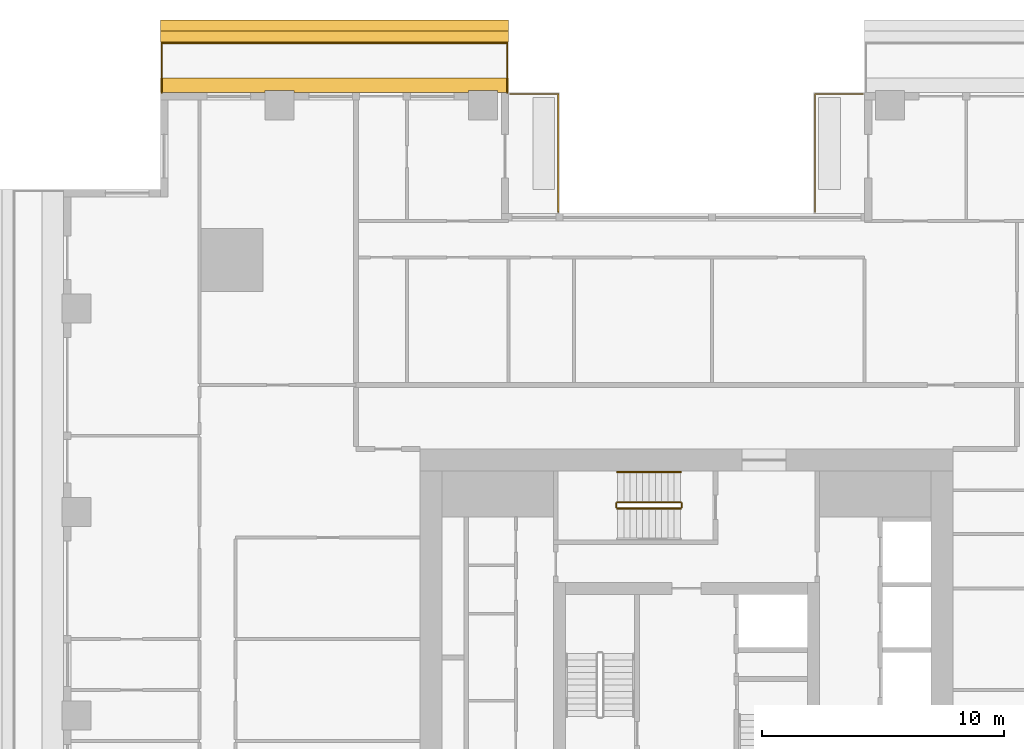
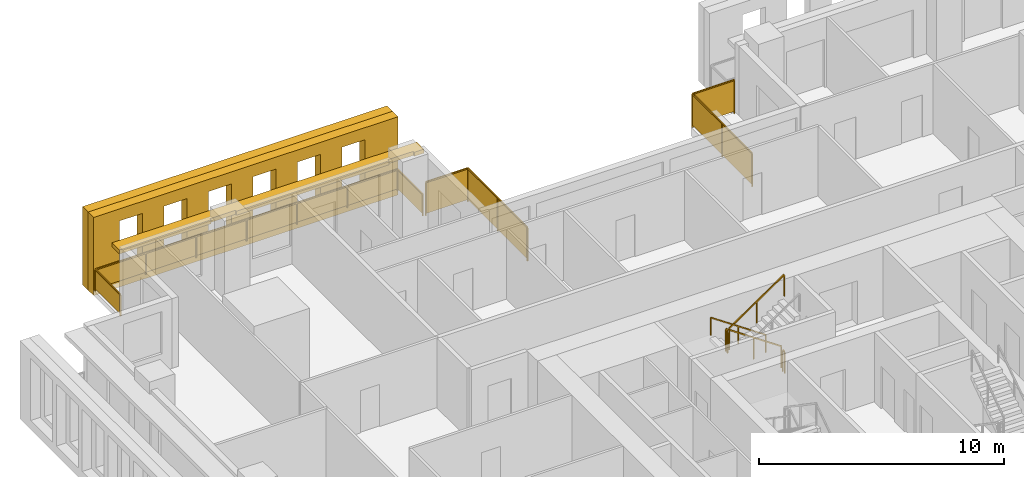
# One storey, part 15 of 16: 8 railings, 3 shading devices.
"""IFC4 building model written with IfcOpenShell, lengths in metres."""

from ifc_helpers import new_model, si_unit, direction, frame, origin, origin_2d, place, context, subcontext, project, spatial, polyline, rectangle, outline, extrude, material, layer, layer_set, type_object, element, save


model = new_model("IFC4")

# Units and contexts
model_context = context("Model", 3, precision=1e-05, world=origin(), true_north=direction((0.0, 1.0)))
body_context = subcontext(model_context, "Body", "Model", "MODEL_VIEW")
ifc_project = project(units=[si_unit("LENGTHUNIT", "METRE"), si_unit("AREAUNIT", "SQUARE_METRE"), si_unit("VOLUMEUNIT", "CUBIC_METRE"), si_unit("PLANEANGLEUNIT", "RADIAN"), si_unit("MASSUNIT", "GRAM", prefix="KILO")], contexts=[model_context])

# Site, building, storey
site_placement = place(None, origin())
site = spatial("IfcSite", under=ifc_project, at=site_placement, CompositionType="ELEMENT")
building_placement = place(site_placement, origin())
building = spatial("IfcBuilding", under=site, at=building_placement, Name="Khepri Terraces", CompositionType="ELEMENT")
storey_placement = place(building_placement, frame((0.0, 0.0, 149.39990234375)))
storey = spatial("IfcBuildingStorey", under=building, at=storey_placement, Name="L35", CompositionType="ELEMENT", Elevation=149.39990234375)

# Railings
ifc_material_1 = material(Name="Stainless steel grade 316", Category="steel")
railing_type_1 = type_object("IfcRailingType", Name="GRD-BAL-1100", PredefinedType="GUARDRAIL", material=ifc_material_1)
railing_1_placement = place(storey_placement, frame((-7.39990234375, 25.719970703125, 0.0)))
element("IfcRailing", 1, at=railing_1_placement, inside=storey, type_object=railing_type_1, Name="Balcony guard L35 N", PredefinedType="GUARDRAIL", context=body_context, shape_type="SweptSolid", body=[
    extrude(rectangle(XDim=0.050048828125, YDim=0.06005859375, at=origin_2d()), frame((0.0, 0.0, 1.070068359375), z_axis=(0.0, 1.0, 0.0), x_axis=(-1.0, 0.0, 0.0)), (0.0, 0.0, 1.0), 2.050048828125),
    extrude(rectangle(XDim=2.0, YDim=0.011962890625, at=origin_2d()), frame((0.0, 1.02490234375, 0.10009765625), z_axis=(0.0, 0.0, 1.0), x_axis=(0.0, 1.0, 0.0)), (0.0, 0.0, 1.0), 0.93994140625),
    extrude(rectangle(XDim=0.050048828125, YDim=0.06005859375, at=origin_2d()), frame((0.0, 2.050048828125, 1.070068359375), z_axis=(-1.0, 0.0, 0.0), x_axis=(0.0, -1.0, 0.0)), (0.0, 0.0, 1.0), 14.27001953125),
    extrude(rectangle(XDim=2.328369140625, YDim=0.011962890625, at=origin_2d()), frame((-1.189208984375, 2.050048828125, 0.10009765625), z_axis=(0.0, 0.0, 1.0), x_axis=(-1.0, 0.0, 0.0)), (0.0, 0.0, 1.0), 0.93994140625),
    extrude(rectangle(XDim=2.328369140625, YDim=0.011962890625, at=origin_2d()), frame((-3.5673828125, 2.050048828125, 0.10009765625), z_axis=(0.0, 0.0, 1.0), x_axis=(-1.0, 0.0, 0.0)), (0.0, 0.0, 1.0), 0.93994140625),
    extrude(rectangle(XDim=2.328369140625, YDim=0.011962890625, at=origin_2d()), frame((-5.94580078125, 2.050048828125, 0.10009765625), z_axis=(0.0, 0.0, 1.0), x_axis=(-1.0, 0.0, 0.0)), (0.0, 0.0, 1.0), 0.93994140625),
    extrude(rectangle(XDim=2.328369140625, YDim=0.011962890625, at=origin_2d()), frame((-8.32421875, 2.050048828125, 0.10009765625), z_axis=(0.0, 0.0, 1.0), x_axis=(-1.0, 0.0, 0.0)), (0.0, 0.0, 1.0), 0.93994140625),
    extrude(rectangle(XDim=2.328369140625, YDim=0.011962890625, at=origin_2d()), frame((-10.70263671875, 2.050048828125, 0.10009765625), z_axis=(0.0, 0.0, 1.0), x_axis=(-1.0, 0.0, 0.0)), (0.0, 0.0, 1.0), 0.93994140625),
    extrude(rectangle(XDim=2.328369140625, YDim=0.011962890625, at=origin_2d()), frame((-13.080810546875, 2.050048828125, 0.10009765625), z_axis=(0.0, 0.0, 1.0), x_axis=(-1.0, 0.0, 0.0)), (0.0, 0.0, 1.0), 0.93994140625),
    extrude(rectangle(XDim=0.050048828125, YDim=0.06005859375, at=origin_2d()), frame((-14.27001953125, 2.050048828125, 1.070068359375), z_axis=(0.0, -1.0, 0.0), x_axis=(1.0, 0.0, 0.0)), (0.0, 0.0, 1.0), 2.050048828125),
    extrude(rectangle(XDim=2.0, YDim=0.011962890625, at=origin_2d()), frame((-14.27001953125, 1.02490234375, 0.10009765625), z_axis=(0.0, 0.0, 1.0), x_axis=(0.0, -1.0, 0.0)), (0.0, 0.0, 1.0), 0.93994140625),
    extrude(rectangle(XDim=0.050048828125, YDim=0.050048828125, at=origin_2d()), origin(), (0.0, 0.0, 1.0), 1.0400390625),
    extrude(rectangle(XDim=0.050048828125, YDim=0.050048828125, at=origin_2d()), frame((0.0, 2.050048828125, 0.0)), (0.0, 0.0, 1.0), 1.0400390625),
    extrude(rectangle(XDim=0.050048828125, YDim=0.050048828125, at=origin_2d()), frame((-2.37841796875, 2.050048828125, 0.0)), (0.0, 0.0, 1.0), 1.0400390625),
    extrude(rectangle(XDim=0.050048828125, YDim=0.050048828125, at=origin_2d()), frame((-4.756591796875, 2.050048828125, 0.0)), (0.0, 0.0, 1.0), 1.0400390625),
    extrude(rectangle(XDim=0.050048828125, YDim=0.050048828125, at=origin_2d()), frame((-7.135009765625, 2.050048828125, 0.0)), (0.0, 0.0, 1.0), 1.0400390625),
    extrude(rectangle(XDim=0.050048828125, YDim=0.050048828125, at=origin_2d()), frame((-9.513427734375, 2.050048828125, 0.0)), (0.0, 0.0, 1.0), 1.0400390625),
    extrude(rectangle(XDim=0.050048828125, YDim=0.050048828125, at=origin_2d()), frame((-11.8916015625, 2.050048828125, 0.0)), (0.0, 0.0, 1.0), 1.0400390625),
    extrude(rectangle(XDim=0.050048828125, YDim=0.050048828125, at=origin_2d()), frame((-14.27001953125, 2.050048828125, 0.0)), (0.0, 0.0, 1.0), 1.0400390625),
    extrude(rectangle(XDim=0.050048828125, YDim=0.050048828125, at=origin_2d()), frame((-14.27001953125, 0.0, 0.0)), (0.0, 0.0, 1.0), 1.0400390625),
])
railing_type_2 = type_object("IfcRailingType", Name="GRD-TERR-1700", PredefinedType="GUARDRAIL", material=ifc_material_1)
railing_2_placement = place(storey_placement, frame((5.300048828125, 20.7900390625, 0.0)))
element("IfcRailing", 2, at=railing_2_placement, inside=storey, type_object=railing_type_2, Name="Terrace guard L35", PredefinedType="GUARDRAIL", context=body_context, shape_type="SweptSolid", body=[
    extrude(rectangle(XDim=0.050048828125, YDim=0.06005859375, at=origin_2d()), frame((0.0, 0.0, 1.669921875), z_axis=(0.0, 1.0, 0.0), x_axis=(-1.0, 0.0, 0.0)), (0.0, 0.0, 1.0), 4.8798828125),
    extrude(rectangle(XDim=2.389892578125, YDim=0.011962890625, at=origin_2d()), frame((0.0, 1.219970703125, 0.10009765625), z_axis=(0.0, 0.0, 1.0), x_axis=(0.0, 1.0, 0.0)), (0.0, 0.0, 1.0), 1.539794921875),
    extrude(rectangle(XDim=2.389892578125, YDim=0.011962890625, at=origin_2d()), frame((0.0, 3.659912109375, 0.10009765625), z_axis=(0.0, 0.0, 1.0), x_axis=(0.0, 1.0, 0.0)), (0.0, 0.0, 1.0), 1.539794921875),
    extrude(rectangle(XDim=0.050048828125, YDim=0.06005859375, at=origin_2d()), frame((0.0, 4.8798828125, 1.669921875), z_axis=(1.0, 0.0, 0.0), x_axis=(0.0, 1.0, 0.0)), (0.0, 0.0, 1.0), 1.97998046875),
    extrude(rectangle(XDim=1.929931640625, YDim=0.011962890625, at=origin_2d()), frame((0.989990234375, 4.8798828125, 0.10009765625), z_axis=(0.0, 0.0, 1.0), x_axis=(1.0, 0.0, 0.0)), (0.0, 0.0, 1.0), 1.539794921875),
    extrude(rectangle(XDim=0.050048828125, YDim=0.050048828125, at=origin_2d()), origin(), (0.0, 0.0, 1.0), 1.639892578125),
    extrude(rectangle(XDim=0.050048828125, YDim=0.050048828125, at=origin_2d()), frame((0.0, 2.43994140625, 0.0)), (0.0, 0.0, 1.0), 1.639892578125),
    extrude(rectangle(XDim=0.050048828125, YDim=0.050048828125, at=origin_2d()), frame((0.0, 4.8798828125, 0.0)), (0.0, 0.0, 1.0), 1.639892578125),
    extrude(rectangle(XDim=0.050048828125, YDim=0.050048828125, at=origin_2d()), frame((1.97998046875, 4.8798828125, 0.0)), (0.0, 0.0, 1.0), 1.639892578125),
])
railing_3_placement = place(storey_placement, frame((-7.280029296875, 25.669921875, 0.0)))
element("IfcRailing", 3, at=railing_3_placement, inside=storey, type_object=railing_type_2, Name="Terrace guard L35", PredefinedType="GUARDRAIL", context=body_context, shape_type="SweptSolid", body=[
    extrude(rectangle(XDim=0.050048828125, YDim=0.06005859375, at=origin_2d()), frame((0.0, 0.0, 1.669921875), z_axis=(1.0, 0.0, 0.0), x_axis=(0.0, 1.0, 0.0)), (0.0, 0.0, 1.0), 1.97998046875),
    extrude(rectangle(XDim=1.929931640625, YDim=0.011962890625, at=origin_2d()), frame((0.989990234375, 0.0, 0.10009765625), z_axis=(0.0, 0.0, 1.0), x_axis=(1.0, 0.0, 0.0)), (0.0, 0.0, 1.0), 1.539794921875),
    extrude(rectangle(XDim=0.050048828125, YDim=0.06005859375, at=origin_2d()), frame((1.97998046875, 0.0, 1.669921875), z_axis=(0.0, -1.0, 0.0), x_axis=(1.0, 0.0, 0.0)), (0.0, 0.0, 1.0), 4.8798828125),
    extrude(rectangle(XDim=2.389892578125, YDim=0.011962890625, at=origin_2d()), frame((1.97998046875, -1.219970703125, 0.10009765625), z_axis=(0.0, 0.0, 1.0), x_axis=(0.0, -1.0, 0.0)), (0.0, 0.0, 1.0), 1.539794921875),
    extrude(rectangle(XDim=2.389892578125, YDim=0.011962890625, at=origin_2d()), frame((1.97998046875, -3.659912109375, 0.10009765625), z_axis=(0.0, 0.0, 1.0), x_axis=(0.0, -1.0, 0.0)), (0.0, 0.0, 1.0), 1.539794921875),
    extrude(rectangle(XDim=0.050048828125, YDim=0.050048828125, at=origin_2d()), origin(), (0.0, 0.0, 1.0), 1.639892578125),
    extrude(rectangle(XDim=0.050048828125, YDim=0.050048828125, at=origin_2d()), frame((1.97998046875, 0.0, 0.0)), (0.0, 0.0, 1.0), 1.639892578125),
    extrude(rectangle(XDim=0.050048828125, YDim=0.050048828125, at=origin_2d()), frame((1.97998046875, -2.43994140625, 0.0)), (0.0, 0.0, 1.0), 1.639892578125),
    extrude(rectangle(XDim=0.050048828125, YDim=0.050048828125, at=origin_2d()), frame((1.97998046875, -4.8798828125, 0.0)), (0.0, 0.0, 1.0), 1.639892578125),
])
ifc_material_2 = material(Name="Stainless steel 316", Category="steel")
railing_type_3 = type_object("IfcRailingType", Name="RL-CORE-GUARD", PredefinedType="GUARDRAIL", material=ifc_material_2)
railing_4_placement = place(storey_placement, frame((-0.25, 8.800048828125, 0.177490234375)))
element("IfcRailing", 4, at=railing_4_placement, inside=storey, type_object=railing_type_3, Name="L35 ST-3 stair guard 1", PredefinedType="GUARDRAIL", context=body_context, shape_type="SweptSolid", body=[
    extrude(rectangle(XDim=0.050048828125, YDim=0.06005859375, at=origin_2d()), frame((0.0, 0.0, 1.070068359375), z_axis=(-0.826240473404, 0.0, 0.563317565952), x_axis=(0.0, -1.0, 0.0)), (0.0, 0.0, 1.0), 3.14697265625),
    extrude(rectangle(XDim=0.050048828125, YDim=0.050048828125, at=origin_2d()), origin(), (0.0, 0.0, 1.0), 1.0400390625),
    extrude(rectangle(XDim=0.050048828125, YDim=0.050048828125, at=origin_2d()), frame((-1.300048828125, 0.0, 0.88623046875)), (0.0, 0.0, 1.0), 1.0400390625),
    extrude(rectangle(XDim=0.050048828125, YDim=0.050048828125, at=origin_2d()), frame((-2.60009765625, 0.0, 1.772705078125)), (0.0, 0.0, 1.0), 1.0400390625),
])
railing_5_placement = place(storey_placement, frame((-2.89990234375, 8.75, 1.9501953125)))
element("IfcRailing", 5, at=railing_5_placement, inside=storey, type_object=railing_type_3, Name="L35 ST-3 stair guard 2", PredefinedType="GUARDRAIL", context=body_context, shape_type="SweptSolid", body=[
    extrude(rectangle(XDim=0.050048828125, YDim=0.06005859375, at=origin_2d()), frame((0.0, 0.0, 1.070068359375), z_axis=(0.0, -1.0, 0.0), x_axis=(1.0, 0.0, 0.0)), (0.0, 0.0, 1.0), 0.14990234375),
    extrude(rectangle(XDim=0.050048828125, YDim=0.050048828125, at=origin_2d()), origin(), (0.0, 0.0, 1.0), 1.0400390625),
    extrude(rectangle(XDim=0.050048828125, YDim=0.050048828125, at=origin_2d()), frame((0.0, -0.14990234375, 0.0)), (0.0, 0.0, 1.0), 1.0400390625),
])
railing_6_placement = place(storey_placement, frame((-2.85009765625, 8.550048828125, 2.12744140625)))
element("IfcRailing", 6, at=railing_6_placement, inside=storey, type_object=railing_type_3, Name="L35 ST-3 stair guard 3", PredefinedType="GUARDRAIL", context=body_context, shape_type="SweptSolid", body=[
    extrude(rectangle(XDim=0.050048828125, YDim=0.06005859375, at=origin_2d()), frame((0.0, 0.0, 1.070068359375), z_axis=(0.826240473404, 0.0, 0.563317565952), x_axis=(0.0, 1.0, 0.0)), (0.0, 0.0, 1.0), 3.14697265625),
    extrude(rectangle(XDim=0.050048828125, YDim=0.050048828125, at=origin_2d()), origin(), (0.0, 0.0, 1.0), 1.0400390625),
    extrude(rectangle(XDim=0.050048828125, YDim=0.050048828125, at=origin_2d()), frame((1.300048828125, 0.0, 0.88623046875)), (0.0, 0.0, 1.0), 1.0400390625),
    extrude(rectangle(XDim=0.050048828125, YDim=0.050048828125, at=origin_2d()), frame((2.60009765625, 0.0, 1.772705078125)), (0.0, 0.0, 1.0), 1.0400390625),
])
railing_7_placement = place(storey_placement, frame((-0.199951171875, 8.75, 0.0)))
element("IfcRailing", 7, at=railing_7_placement, inside=storey, type_object=railing_type_3, Name="L35 ST-3 stair guard 4", PredefinedType="GUARDRAIL", context=body_context, shape_type="SweptSolid", body=[
    extrude(rectangle(XDim=0.050048828125, YDim=0.06005859375, at=origin_2d()), frame((0.0, 0.0, 1.070068359375), z_axis=(0.0, -1.0, 0.0), x_axis=(1.0, 0.0, 0.0)), (0.0, 0.0, 1.0), 0.14990234375),
    extrude(rectangle(XDim=0.050048828125, YDim=0.050048828125, at=origin_2d()), origin(), (0.0, 0.0, 1.0), 1.0400390625),
    extrude(rectangle(XDim=0.050048828125, YDim=0.050048828125, at=origin_2d()), frame((0.0, -0.14990234375, 0.0)), (0.0, 0.0, 1.0), 1.0400390625),
])
railing_type_4 = type_object("IfcRailingType", Name="RL-CORE-HANDRAIL", PredefinedType="HANDRAIL", material=ifc_material_2)
railing_8_placement = place(storey_placement, frame((-0.25, 10.050048828125, 0.177490234375)))
element("IfcRailing", 8, at=railing_8_placement, inside=storey, type_object=railing_type_4, Name="L35 ST-3 stair handrail 1", PredefinedType="HANDRAIL", context=body_context, shape_type="SweptSolid", body=[
    extrude(rectangle(XDim=0.050048828125, YDim=0.050048828125, at=origin_2d()), frame((0.0, 0.0, 0.875), z_axis=(-0.826240473404, 0.0, 0.563317565952), x_axis=(0.0, -1.0, 0.0)), (0.0, 0.0, 1.0), 3.14697265625),
    extrude(rectangle(XDim=0.050048828125, YDim=0.050048828125, at=origin_2d()), origin(), (0.0, 0.0, 1.0), 0.849853515625),
    extrude(rectangle(XDim=0.050048828125, YDim=0.050048828125, at=origin_2d()), frame((-1.300048828125, 0.0, 0.88623046875)), (0.0, 0.0, 1.0), 0.849853515625),
    extrude(rectangle(XDim=0.050048828125, YDim=0.050048828125, at=origin_2d()), frame((-2.60009765625, 0.0, 1.772705078125)), (0.0, 0.0, 1.0), 0.849853515625),
])

# Shading devices
ifc_material_3 = material(Name="Precast concrete C50/60 warm stone", Category="masonry")
shading_device_type_1 = type_object("IfcShadingDeviceType", Name="SCR-CELL-INNER-450", PredefinedType="USERDEFINED", material=ifc_material_3)
shading_device_1_placement = place(storey_placement, frame((-7.35009765625, 27.820068359375, -0.25), z_axis=(0.0, 1.0, 0.0), x_axis=(-1.0, 0.0, 0.0)))
element("IfcShadingDevice", 9, at=shading_device_1_placement, inside=storey, type_object=shading_device_type_1, Name="Cell screen L35 N in", ObjectType="SCREEN", PredefinedType="USERDEFINED", context=body_context, shape_type="SweptSolid", body=[
    extrude(outline(polyline([(0.0, 0.0), (14.3701171875, 0.0), (14.3701171875, 3.89990234375), (0.0, 3.89990234375), (0.0, 0.0)]), holes=[polyline([(1.556640625, 0.699951171875), (2.643310546875, 0.699951171875), (2.643310546875, 3.300048828125), (1.556640625, 3.300048828125), (1.556640625, 0.699951171875)]), polyline([(3.656494140625, 0.699951171875), (4.743408203125, 0.699951171875), (4.743408203125, 3.300048828125), (3.656494140625, 3.300048828125), (3.656494140625, 0.699951171875)]), polyline([(5.756591796875, 0.699951171875), (6.843505859375, 0.699951171875), (6.843505859375, 3.300048828125), (5.756591796875, 3.300048828125), (5.756591796875, 0.699951171875)]), polyline([(7.856689453125, 0.699951171875), (8.943359375, 0.699951171875), (8.943359375, 3.300048828125), (7.856689453125, 3.300048828125), (7.856689453125, 0.699951171875)]), polyline([(9.95654296875, 0.699951171875), (11.04345703125, 0.699951171875), (11.04345703125, 3.300048828125), (9.95654296875, 3.300048828125), (9.95654296875, 0.699951171875)]), polyline([(12.056640625, 0.699951171875), (13.143310546875, 0.699951171875), (13.143310546875, 3.300048828125), (12.056640625, 3.300048828125), (12.056640625, 0.699951171875)])]), origin(), (0.0, 0.0, 1.0), 0.449951171875),
])
shading_device_type_2 = type_object("IfcShadingDeviceType", Name="SCR-CELL-OUTER-450", PredefinedType="USERDEFINED", material=ifc_material_3)
shading_device_2_placement = place(storey_placement, frame((-7.35009765625, 28.27001953125, -0.25), z_axis=(0.0, 1.0, 0.0), x_axis=(-1.0, 0.0, 0.0)))
element("IfcShadingDevice", 10, at=shading_device_2_placement, inside=storey, type_object=shading_device_type_2, Name="Cell screen L35 N out", ObjectType="SCREEN", PredefinedType="USERDEFINED", context=body_context, shape_type="SweptSolid", body=[
    extrude(outline(polyline([(0.0, 0.0), (14.3701171875, 0.0), (14.3701171875, 3.89990234375), (0.0, 3.89990234375), (0.0, 0.0)]), holes=[polyline([(1.20654296875, 0.449951171875), (2.993408203125, 0.449951171875), (2.993408203125, 3.550048828125), (1.20654296875, 3.550048828125), (1.20654296875, 0.449951171875)]), polyline([(3.306640625, 0.449951171875), (5.093505859375, 0.449951171875), (5.093505859375, 3.550048828125), (3.306640625, 3.550048828125), (3.306640625, 0.449951171875)]), polyline([(5.406494140625, 0.449951171875), (7.193359375, 0.449951171875), (7.193359375, 3.550048828125), (5.406494140625, 3.550048828125), (5.406494140625, 0.449951171875)]), polyline([(7.506591796875, 0.449951171875), (9.29345703125, 0.449951171875), (9.29345703125, 3.550048828125), (7.506591796875, 3.550048828125), (7.506591796875, 0.449951171875)]), polyline([(9.606689453125, 0.449951171875), (11.393310546875, 0.449951171875), (11.393310546875, 3.550048828125), (9.606689453125, 3.550048828125), (9.606689453125, 0.449951171875)]), polyline([(11.70654296875, 0.449951171875), (13.493408203125, 0.449951171875), (13.493408203125, 3.550048828125), (11.70654296875, 3.550048828125), (11.70654296875, 0.449951171875)])]), origin(), (0.0, 0.0, 1.0), 0.449951171875),
])
ifc_layer = layer(ifc_material_3, 0.199951171875, Name="Precast concrete C50/60 warm stone", Category="masonry")
ifc_layer_set = layer_set([ifc_layer], Name="Precast concrete C50/60 warm stone")
shading_device_type_3 = type_object("IfcShadingDeviceType", Name="SSH-BAND-STONE-200-N", PredefinedType="USERDEFINED", material=ifc_layer_set)
shading_device_3_placement = place(storey_placement, frame((0.0, 0.0, 3.10009765625)))
element("IfcShadingDevice", 11, at=shading_device_3_placement, inside=storey, type_object=shading_device_type_3, Name="Sunshade band L35 N", ObjectType="SUNSHADE", PredefinedType="USERDEFINED", context=body_context, shape_type="SweptSolid", body=[
    extrude(outline(polyline([(-7.800048828125, 25.719970703125), (-7.35009765625, 25.719970703125), (-7.35009765625, 26.320068359375), (-21.719970703125, 26.320068359375), (-21.719970703125, 25.719970703125), (-17.39990234375, 25.719970703125), (-17.39990234375, 25.800048828125), (-16.199951171875, 25.800048828125), (-16.199951171875, 25.719970703125), (-9.0, 25.719970703125), (-9.0, 25.800048828125), (-7.800048828125, 25.800048828125), (-7.800048828125, 25.719970703125)])), origin(), (0.0, 0.0, 1.0), 0.199951171875),
])

save(model, "model.ifc")
